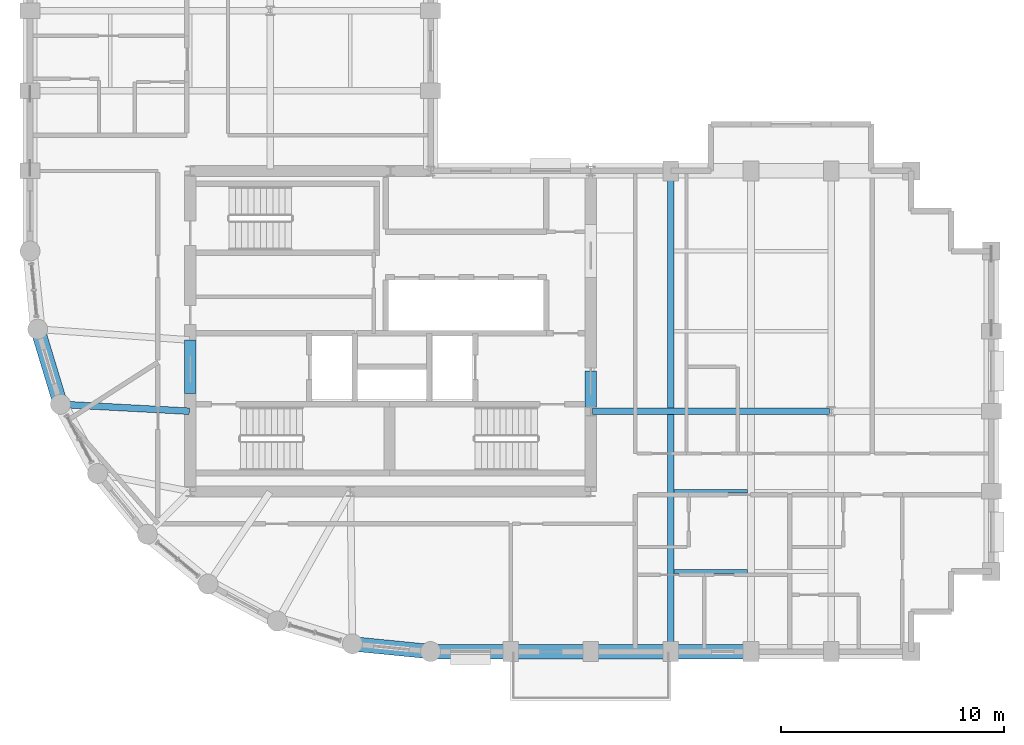
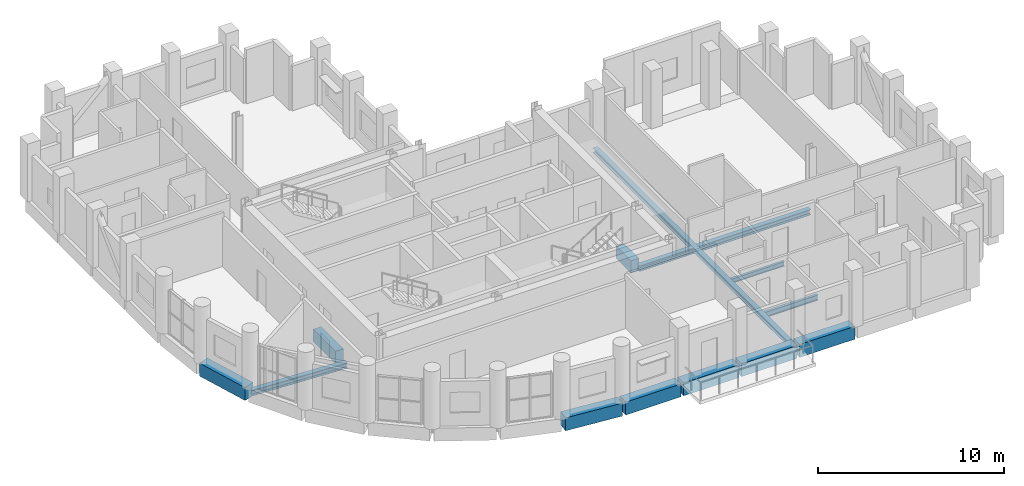
# One storey, part 3 of 12: 13 beams.
"""IFC4 building model written with IfcOpenShell, lengths in metres."""

from ifc_helpers import new_model, si_unit, direction, frame, origin, origin_2d, place, context, subcontext, project, spatial, rectangle, i_section, extrude, material, material_profile, profile_set, type_object, element, save


model = new_model("IFC4")

# Units and contexts
model_context = context("Model", 3, precision=1e-05, world=origin(), true_north=direction((0.0, 1.0)))
body_context = subcontext(model_context, "Body", "Model", "MODEL_VIEW")
ifc_project = project(units=[si_unit("LENGTHUNIT", "METRE"), si_unit("AREAUNIT", "SQUARE_METRE"), si_unit("VOLUMEUNIT", "CUBIC_METRE"), si_unit("PLANEANGLEUNIT", "RADIAN"), si_unit("MASSUNIT", "GRAM", prefix="KILO")], contexts=[model_context])

# Site, building, storey
site_placement = place(None, origin())
site = spatial("IfcSite", under=ifc_project, at=site_placement, CompositionType="ELEMENT")
building_placement = place(site_placement, origin())
building = spatial("IfcBuilding", under=site, at=building_placement, Name="Solnavia Interchange Tower", CompositionType="ELEMENT")
storey_placement = place(building_placement, frame((0.0, 0.0, 182.39990234375)))
storey = spatial("IfcBuildingStorey", under=building, at=storey_placement, Name="L45", CompositionType="ELEMENT", Elevation=182.39990234375)

# Beams
ifc_material_1 = material(Name="Concrete C50/60", Category="concrete")
ifc_material_profile_1 = material_profile(ifc_material_1, rectangle(XDim=0.5, YDim=0.800048828125, at=origin_2d()), Name="RC 500x800")
ifc_profile_set_1 = profile_set([ifc_material_profile_1], Name="Concrete C50/60")
beam_type_1 = type_object("IfcBeamType", Name="Beam-Coupling-RC500x800", PredefinedType="LINTEL", material=ifc_profile_set_1)
beam_1_placement = place(storey_placement, frame((14.39990234375, 15.199951171875, -0.39990234375), z_axis=(0.0, 1.0, 0.0), x_axis=(-1.0, 0.0, 0.0)))
element("IfcBeam", 1, at=beam_1_placement, inside=storey, type_object=beam_type_1, Name="CPB-L45-W1 Core coupling lintel beam", PredefinedType="LINTEL", context=body_context, shape_type="SweptSolid", body=[
    extrude(rectangle(XDim=0.5, YDim=0.800048828125, at=origin_2d()), origin(), (0.0, 0.0, 1.0), 2.400146484375),
])
beam_2_placement = place(storey_placement, frame((32.39990234375, 14.60009765625, -0.39990234375), z_axis=(0.0, 1.0, 0.0), x_axis=(-1.0, 0.0, 0.0)))
element("IfcBeam", 2, at=beam_2_placement, inside=storey, type_object=beam_type_1, Name="CPB-L45-E1 Core coupling lintel beam", PredefinedType="LINTEL", context=body_context, shape_type="SweptSolid", body=[
    extrude(rectangle(XDim=0.5, YDim=0.800048828125, at=origin_2d()), origin(), (0.0, 0.0, 1.0), 1.599853515625),
])
ifc_material_2 = material(Name="Steel S460", Category="steel")
ifc_material_profile_2 = material_profile(ifc_material_2, i_section(OverallWidth=0.300048828125, OverallDepth=0.360107421875, WebThickness=0.012451171875, FlangeThickness=0.0224609375, FilletRadius=0.027099609375, at=origin_2d()), Name="HEB 360")
ifc_profile_set_2 = profile_set([ifc_material_profile_2], Name="Steel S460")
beam_type_2 = type_object("IfcBeamType", Name="Beam-Girder-HEB360", PredefinedType="BEAM", material=ifc_profile_set_2)
beam_3_placement = place(storey_placement, frame((32.47998046875, 14.39990234375, -0.429931640625), z_axis=(1.0, 0.0, 0.0), x_axis=(0.0, 1.0, 0.0)))
element("IfcBeam", 3, at=beam_3_placement, inside=storey, type_object=beam_type_2, Name="GRD-L45-ES01 East wing spine girder", PredefinedType="BEAM", context=body_context, shape_type="SweptSolid", body=[
    extrude(i_section(OverallWidth=0.300048828125, OverallDepth=0.360107421875, WebThickness=0.012451171875, FlangeThickness=0.0224609375, FilletRadius=0.027099609375, at=origin_2d()), origin(), (0.0, 0.0, 1.0), 10.64013671875),
])
beam_4_placement = place(storey_placement, frame((8.64990234375, 14.707763671875, -0.429931640625), z_axis=(0.998570371303, -0.053452909696, 0.0), x_axis=(0.053452909696, 0.998570371303, 0.0)))
element("IfcBeam", 4, at=beam_4_placement, inside=storey, type_object=beam_type_2, Name="GRD-L45-DR13 Drum radial floor girder", PredefinedType="BEAM", context=body_context, shape_type="SweptSolid", body=[
    extrude(i_section(OverallWidth=0.300048828125, OverallDepth=0.360107421875, WebThickness=0.012451171875, FlangeThickness=0.0224609375, FilletRadius=0.027099609375, at=origin_2d()), origin(), (0.0, 0.0, 1.0), 5.71826171875),
])
ifc_material_3 = material(Name="Steel S355", Category="steel")
ifc_material_profile_3 = material_profile(ifc_material_3, i_section(OverallWidth=0.14990234375, OverallDepth=0.300048828125, WebThickness=0.007080078125, FlangeThickness=0.0107421875, FilletRadius=0.014892578125, at=origin_2d()), Name="IPE 300")
ifc_profile_set_3 = profile_set([ifc_material_profile_3], Name="Steel S355")
beam_type_3 = type_object("IfcBeamType", Name="Beam-Joist-IPE300", PredefinedType="JOIST", material=ifc_profile_set_3)
beam_5_placement = place(storey_placement, frame((36.14990234375, 10.800048828125, -0.39990234375), z_axis=(1.0, 0.0, 0.0), x_axis=(0.0, 1.0, 0.0)))
element("IfcBeam", 5, at=beam_5_placement, inside=storey, type_object=beam_type_3, Name="JST-L45-E03 East wing secondary joist", PredefinedType="JOIST", context=body_context, shape_type="SweptSolid", body=[
    extrude(i_section(OverallWidth=0.14990234375, OverallDepth=0.300048828125, WebThickness=0.007080078125, FlangeThickness=0.0107421875, FilletRadius=0.014892578125, at=origin_2d()), origin(), (0.0, 0.0, 1.0), 3.300048828125),
])
ifc_material_profile_4 = material_profile(ifc_material_3, i_section(OverallWidth=0.169921875, OverallDepth=0.360107421875, WebThickness=0.008056640625, FlangeThickness=0.0126953125, FilletRadius=0.01806640625, at=origin_2d()), Name="IPE 360")
ifc_profile_set_4 = profile_set([ifc_material_profile_4], Name="Steel S355")
beam_type_4 = type_object("IfcBeamType", Name="Beam-Joist-IPE360", PredefinedType="JOIST", material=ifc_profile_set_4)
beam_6_placement = place(storey_placement, frame((36.14990234375, 7.199951171875, -0.429931640625), z_axis=(1.0, 0.0, 0.0), x_axis=(0.0, 1.0, 0.0)))
element("IfcBeam", 6, at=beam_6_placement, inside=storey, type_object=beam_type_4, Name="JST-L45-E01 East wing secondary joist", PredefinedType="JOIST", context=body_context, shape_type="SweptSolid", body=[
    extrude(i_section(OverallWidth=0.169921875, OverallDepth=0.360107421875, WebThickness=0.008056640625, FlangeThickness=0.0126953125, FilletRadius=0.01806640625, at=origin_2d()), origin(), (0.0, 0.0, 1.0), 3.300048828125),
])
ifc_material_profile_5 = material_profile(ifc_material_3, i_section(OverallWidth=0.300048828125, OverallDepth=0.31005859375, WebThickness=0.009033203125, FlangeThickness=0.015380859375, FilletRadius=0.027099609375, at=origin_2d()), Name="HEA 320")
ifc_profile_set_5 = profile_set([ifc_material_profile_5], Name="Steel S355")
beam_type_5 = type_object("IfcBeamType", Name="Beam-Primary-HEA320", PredefinedType="BEAM", material=ifc_profile_set_5)
beam_7_placement = place(storey_placement, frame((36.0, 3.679931640625, -0.40478515625), z_axis=(0.0, 1.0, 0.0), x_axis=(-1.0, 0.0, 0.0)))
element("IfcBeam", 7, at=beam_7_placement, inside=storey, type_object=beam_type_5, Name="GRD-L45-EW03 East wing primary floor girder", PredefinedType="BEAM", context=body_context, shape_type="SweptSolid", body=[
    extrude(i_section(OverallWidth=0.300048828125, OverallDepth=0.31005859375, WebThickness=0.009033203125, FlangeThickness=0.015380859375, FilletRadius=0.027099609375, at=origin_2d()), origin(), (0.0, 0.0, 1.0), 21.440185546875),
])
ifc_material_profile_6 = material_profile(ifc_material_1, rectangle(XDim=0.64990234375, YDim=0.85009765625, at=origin_2d()), Name="RC 650x850")
ifc_profile_set_6 = profile_set([ifc_material_profile_6], Name="Concrete C50/60")
beam_type_6 = type_object("IfcBeamType", Name="Beam-Spandrel-RC650x850", PredefinedType="SPANDREL", material=ifc_profile_set_6)
beam_8_placement = place(storey_placement, frame((7.569091796875, 18.011474609375, -0.4248046875), z_axis=(0.290319223646, -0.956929855518, 0.0), x_axis=(0.956929855518, 0.290319223646, 0.0)))
element("IfcBeam", 8, at=beam_8_placement, inside=storey, type_object=beam_type_6, Name="SPB-L45-02 Framed-tube perimeter spandrel beam", PredefinedType="SPANDREL", context=body_context, shape_type="SweptSolid", body=[
    extrude(rectangle(XDim=0.64990234375, YDim=0.85009765625, at=origin_2d()), origin(), (0.0, 0.0, 1.0), 3.367919921875),
])
beam_9_placement = place(storey_placement, frame((21.767578125, 3.938232421875, -0.4248046875), z_axis=(0.995181774609, -0.098047108501, 0.0), x_axis=(0.098047108501, 0.995181774609, 0.0)))
element("IfcBeam", 9, at=beam_9_placement, inside=storey, type_object=beam_type_6, Name="SPB-L45-08 Framed-tube perimeter spandrel beam", PredefinedType="SPANDREL", context=body_context, shape_type="SweptSolid", body=[
    extrude(rectangle(XDim=0.64990234375, YDim=0.85009765625, at=origin_2d()), origin(), (0.0, 0.0, 1.0), 3.368896484375),
])
beam_10_placement = place(storey_placement, frame((25.280029296875, 3.60009765625, -0.4248046875), z_axis=(1.0, 0.0, 0.0), x_axis=(0.0, 1.0, 0.0)))
element("IfcBeam", 10, at=beam_10_placement, inside=storey, type_object=beam_type_6, Name="SPB-L45-09 Framed-tube perimeter spandrel beam", PredefinedType="SPANDREL", context=body_context, shape_type="SweptSolid", body=[
    extrude(rectangle(XDim=0.64990234375, YDim=0.85009765625, at=origin_2d()), origin(), (0.0, 0.0, 1.0), 3.43994140625),
])
beam_11_placement = place(storey_placement, frame((28.8798828125, 3.60009765625, -0.4248046875), z_axis=(1.0, 0.0, 0.0), x_axis=(0.0, 1.0, 0.0)))
element("IfcBeam", 11, at=beam_11_placement, inside=storey, type_object=beam_type_6, Name="SPB-L45-10 Framed-tube perimeter spandrel beam", PredefinedType="SPANDREL", context=body_context, shape_type="SweptSolid", body=[
    extrude(rectangle(XDim=0.64990234375, YDim=0.85009765625, at=origin_2d()), origin(), (0.0, 0.0, 1.0), 3.440185546875),
])
for number, where, z_axis, x_axis, name in (
    (12, (32.47998046875, 3.60009765625, -0.4248046875), (1.0, 0.0, 0.0), (0.0, 1.0, 0.0), "SPB-L45-11 Framed-tube perimeter spandrel beam"),
    (13, (36.080078125, 3.60009765625, -0.4248046875), (1.0, 0.0, 0.0), (0.0, 1.0, 0.0), "SPB-L45-12 Framed-tube perimeter spandrel beam"),
):
    element("IfcBeam", number, at=place(storey_placement, frame(where, z_axis=z_axis, x_axis=x_axis)), inside=storey, type_object=beam_type_6, Name=name, PredefinedType="SPANDREL", context=body_context, shape_type="SweptSolid", body=[
        extrude(rectangle(XDim=0.64990234375, YDim=0.85009765625, at=origin_2d()), origin(), (0.0, 0.0, 1.0), 3.43994140625),
    ])

save(model, "model.ifc")
